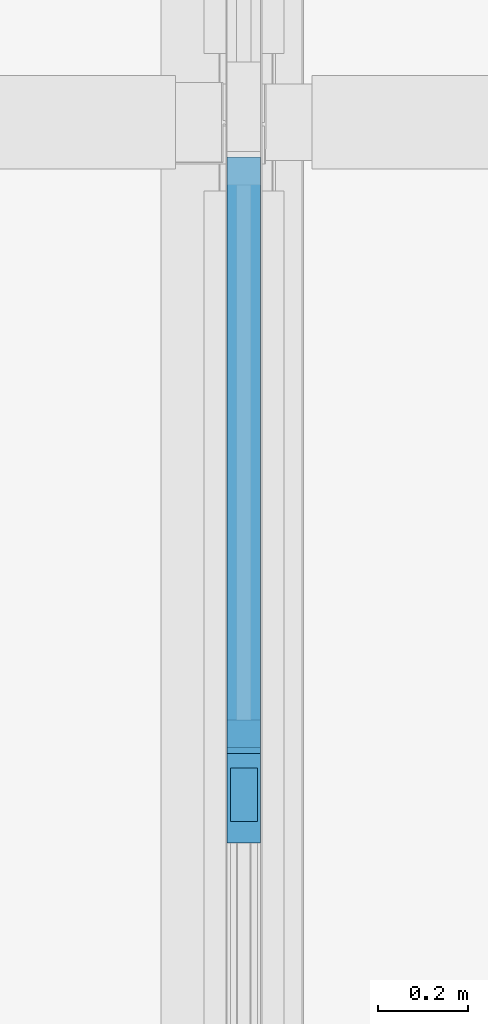
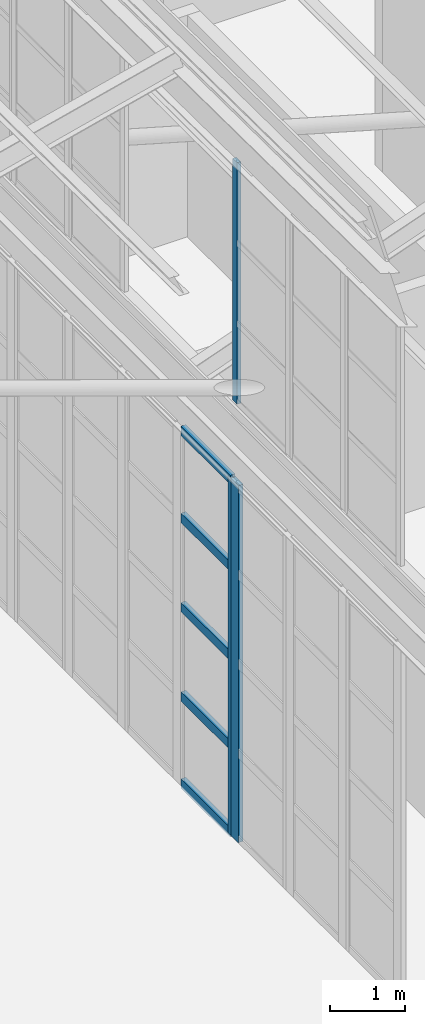
# One storey, part 33 of 483: 8 members, 3 elements without a shape of their own.
"""IFC4 building model written with IfcOpenShell, lengths in metres."""

import ifcopenshell
import ifcopenshell.guid

model = None  # the IFC model being written
_history = None  # IfcOwnerHistory: only IFC2X3 demands one
_inside = {}  # id of a spatial element -> (the spatial element, [elements in it])
_under = {}  # id of a project, library or spatial element -> (it, [spatial elements below it])
_declared = {}  # id of a project -> (the project, [libraries it declares])
_typed = {}  # id of a type object -> (the type object, [elements of that type])
_made_of = {}  # id of a material, layer set ... -> (it, [elements and type objects made of it])


def new_model(schema):
    """Start an empty IFC model of exactly this schema.

    Asked for "IFC4X3", IfcOpenShell would pick the latest addendum, in which some entities
    have other attributes; the version numbers below select the first issue.
    IFC2X3 requires an IfcOwnerHistory on every rooted entity: one is made here for all.
    """
    global model, _history
    if schema == "IFC4X3":
        model = ifcopenshell.file(schema_version=(4, 3, 0, 0))
    else:
        model = ifcopenshell.file(schema=schema)
    _inside.clear()
    _under.clear()
    _declared.clear()
    _typed.clear()
    _made_of.clear()
    _history = None
    if model.schema == "IFC2X3":
        org = make("IfcOrganization", Name="unknown")
        user = make(
            "IfcPersonAndOrganization",
            ThePerson=make("IfcPerson", FamilyName="unknown"),
            TheOrganization=org,
        )
        app = make(
            "IfcApplication",
            ApplicationDeveloper=org,
            Version="unknown",
            ApplicationFullName="unknown",
            ApplicationIdentifier="unknown",
        )
        _history = make(
            "IfcOwnerHistory",
            OwningUser=user,
            OwningApplication=app,
            ChangeAction="ADDED",
            CreationDate=0,
        )
    return model


def make(cls, **values):
    """One entity of the class cls with the attributes given. An attribute that is None is left unset."""
    return model.create_entity(
        cls, **{name: value for name, value in values.items() if value is not None}
    )


def rooted(cls, **values):
    """An entity with a GlobalId (a new one), such as an element, a storey or a relation."""
    return make(cls, GlobalId=ifcopenshell.guid.new(), OwnerHistory=_history, **values)


def si_unit(unit_type, name, prefix=None):
    """IfcSIUnit, for example si_unit("LENGTHUNIT", "METRE", prefix="MILLI")."""
    return make("IfcSIUnit", UnitType=unit_type, Prefix=prefix, Name=name)


def assignment(units):
    """IfcUnitAssignment: the units of a project."""
    return None if units is None else make("IfcUnitAssignment", Units=units)


def point(xyz):
    """IfcCartesianPoint."""
    return None if xyz is None else make("IfcCartesianPoint", Coordinates=xyz)


def direction(xyz):
    """IfcDirection."""
    return None if xyz is None else make("IfcDirection", DirectionRatios=xyz)


def frame(location, z_axis=None, x_axis=None):
    """IfcAxis2Placement3D, a coordinate frame: its origin and axes. An axis left out is left unset."""
    return make(
        "IfcAxis2Placement3D",
        Location=point(location),
        Axis=direction(z_axis),
        RefDirection=direction(x_axis),
    )


def frame_2d(location, x_axis=None):
    """IfcAxis2Placement2D, a coordinate frame in the plane: its origin and x axis."""
    return make(
        "IfcAxis2Placement2D", Location=point(location), RefDirection=direction(x_axis)
    )


def origin():
    """The frame at (0, 0, 0) with its axes left unset."""
    return frame((0.0, 0.0, 0.0))


def origin_2d():
    """The frame at (0, 0) in the plane with its x axis left unset."""
    return frame_2d((0.0, 0.0))


def place(relative_to, where):
    """IfcLocalPlacement: puts the frame where relative to a parent placement (None: the world)."""
    return make(
        "IfcLocalPlacement", PlacementRelTo=relative_to, RelativePlacement=where
    )


def context(
    kind, dimensions, precision=None, world=None, true_north=None, identifier=None
):
    """IfcGeometricRepresentationContext, for example the 3D "Model" context."""
    return make(
        "IfcGeometricRepresentationContext",
        ContextIdentifier=identifier,
        ContextType=kind,
        CoordinateSpaceDimension=dimensions,
        Precision=precision,
        WorldCoordinateSystem=world,
        TrueNorth=true_north,
    )


def subcontext(parent, identifier, kind, view, scale=None):
    """IfcGeometricRepresentationSubContext, for example "Body" below "Model"."""
    return make(
        "IfcGeometricRepresentationSubContext",
        ContextIdentifier=identifier,
        ContextType=kind,
        ParentContext=parent,
        TargetScale=scale,
        TargetView=view,
    )


def project(units=None, contexts=None):
    """IfcProject with its units and contexts."""
    return rooted(
        "IfcProject",
        Name="project",
        RepresentationContexts=contexts,
        UnitsInContext=assignment(units),
    )


def spatial(cls, under=None, at=None, **own):
    """A site, building, storey or space (cls), placed at a placement, below another one or the project."""
    s = rooted(cls, ObjectPlacement=at, **own)
    if under is not None:
        _under.setdefault(under.id(), (under, []))[1].append(s)
    return s


def profile(cls, at=None, kind="AREA", **sizes):
    """A parametric profile (cls). Its sizes go by their IFC names, for example OverallWidth=200.0."""
    return make(cls, ProfileType=kind, Position=at, **sizes)


def rectangle(**sizes):
    """IfcRectangleProfileDef."""
    return profile("IfcRectangleProfileDef", **sizes)


def extrude(swept, where, along, depth):
    """IfcExtrudedAreaSolid: the profile swept, set in the frame where, extruded along a direction by depth."""
    return make(
        "IfcExtrudedAreaSolid",
        SweptArea=swept,
        Position=where,
        ExtrudedDirection=direction(along),
        Depth=depth,
    )


def shape(context_of_items, identifier, shape_type, items):
    """IfcShapeRepresentation: the items that make up one representation, for example the "Body"."""
    return make(
        "IfcShapeRepresentation",
        ContextOfItems=context_of_items,
        RepresentationIdentifier=identifier,
        RepresentationType=shape_type,
        Items=items,
    )


def material(Name=None, Category=None):
    """IfcMaterial."""
    return make("IfcMaterial", Name=Name, Category=Category)


def material_profile(
    of_material, cross_section, Name=None, Category=None, Priority=None
):
    """IfcMaterialProfile: a cross section and its material."""
    return make(
        "IfcMaterialProfile",
        Name=Name,
        Material=of_material,
        Profile=cross_section,
        Priority=Priority,
        Category=Category,
    )


def profile_set(profiles, Name=None, composite=None):
    """IfcMaterialProfileSet."""
    return make(
        "IfcMaterialProfileSet",
        Name=Name,
        MaterialProfiles=profiles,
        CompositeProfile=composite,
    )


def made_of(thing, what):
    """Note that an element or type object is made of a material, layer set ...; save() writes the relation."""
    if what is not None:
        _made_of.setdefault(what.id(), (what, []))[1].append(thing)
    return thing


def type_object(cls, material=None, **own):
    """A type object (cls), such as IfcWallType, which elements share."""
    return made_of(rooted(cls, **own), material)


def element(
    cls,
    number,
    at=None,
    inside=None,
    cuts=None,
    type_object=None,
    material=None,
    context=None,
    identifier="Body",
    shape_type=None,
    held_by="IfcProductDefinitionShape",
    body=None,
    shapes=None,
    **own,
):
    """One element of the class cls, such as IfcWall. Its Tag is "e" and its number.

    at: its placement. inside: the storey or other place that contains it. cuts: it is an
    opening in that element (IfcRelVoidsElement). A single representation is given by context,
    identifier, shape_type and body (its items); several are given by shapes. held_by: the class
    of the entity that holds the representations. save() writes the other relations.
    """
    e = rooted(cls, Tag="e%d" % number, ObjectPlacement=at, **own)
    if body is not None:
        shapes = [shape(context, identifier, shape_type, body)]
    if shapes is not None:
        e.Representation = make(held_by, Representations=shapes)
    if inside is not None:
        _inside.setdefault(inside.id(), (inside, []))[1].append(e)
    if cuts is not None:
        rooted(
            "IfcRelVoidsElement", RelatingBuildingElement=cuts, RelatedOpeningElement=e
        )
    if type_object is not None:
        _typed.setdefault(type_object.id(), (type_object, []))[1].append(e)
    return made_of(e, material)


def aggregate(whole, parts):
    """IfcRelAggregates: a whole, such as a stair, and the parts it consists of."""
    return rooted("IfcRelAggregates", RelatingObject=whole, RelatedObjects=parts)


def save(model, path):
    """Write the relations noted so far, then the file.

    IfcRelAggregates (storeys below a building ...), IfcRelContainedInSpatialStructure (elements
    in a storey), IfcRelDefinesByType, IfcRelAssociatesMaterial and IfcRelDeclares: one each for
    every whole, place, type object, material and project.
    """
    for whole, parts in _under.values():
        aggregate(whole, parts)
    for where, things in _inside.values():
        rooted(
            "IfcRelContainedInSpatialStructure",
            RelatedElements=things,
            RelatingStructure=where,
        )
    for kind, things in _typed.values():
        rooted("IfcRelDefinesByType", RelatedObjects=things, RelatingType=kind)
    for what, things in _made_of.values():
        rooted("IfcRelAssociatesMaterial", RelatedObjects=things, RelatingMaterial=what)
    for by, libraries in _declared.values():
        rooted("IfcRelDeclares", RelatingContext=by, RelatedDefinitions=libraries)
    model.write(path)


model = new_model("IFC4")

# Units and contexts
model_context = context("Model", 3, precision=1e-05, world=origin(), true_north=direction((0.0, 1.0)))
body_context = subcontext(model_context, "Body", "Model", "MODEL_VIEW")
ifc_project = project(units=[si_unit("LENGTHUNIT", "METRE"), si_unit("AREAUNIT", "SQUARE_METRE"), si_unit("VOLUMEUNIT", "CUBIC_METRE"), si_unit("PLANEANGLEUNIT", "RADIAN"), si_unit("MASSUNIT", "GRAM", prefix="KILO")], contexts=[model_context])

# Site, building, storey
site_placement = place(None, origin())
site = spatial("IfcSite", under=ifc_project, at=site_placement, CompositionType="ELEMENT")
building_placement = place(site_placement, origin())
building = spatial("IfcBuilding", under=site, at=building_placement, Name="Parallax Yard Mobility Hub", CompositionType="ELEMENT")
storey_placement = place(building_placement, frame((0.0, 0.0, 13.199951171875)))
storey = spatial("IfcBuildingStorey", under=building, at=storey_placement, Name="L04", CompositionType="ELEMENT", Elevation=13.199951171875)

# Curtain wall, member
ifc_material_1 = material(Name="Thermally broken aluminium curtain wall system", Category="aluminium")
curtain_wall_type_1 = type_object("IfcCurtainWallType", Name="Clerestory glazing run 60 x 120 frame", PredefinedType="NOTDEFINED", material=ifc_material_1)
curtain_wall_1_placement = place(storey_placement, origin())
curtain_wall_1 = element("IfcCurtainWall", 1, at=curtain_wall_1_placement, inside=storey, type_object=curtain_wall_type_1, Name="Clerestory glazing run Rooftop sports deck roof step 1 bay 3 level L04", PredefinedType="NOTDEFINED")
ifc_material_2 = material(Name="Extruded aluminium", Category="aluminium")
ifc_material_profile_1 = material_profile(ifc_material_2, rectangle(XDim=0.06005859375, YDim=0.1201171875, at=origin_2d()), Name="Mullion 60 x 120")
ifc_profile_set_1 = profile_set([ifc_material_profile_1], Name="Extruded aluminium")
member_type_1 = type_object("IfcMemberType", Name="Mullion 60 x 120", PredefinedType="MULLION", material=ifc_profile_set_1)
member_1_placement = place(storey_placement, frame((127.5, 28.49853515625, 7.087890625), z_axis=(0.0, 0.0, 1.0), x_axis=(-1.0, 0.0, 0.0)))
member_1 = element("IfcMember", 2, at=member_1_placement, type_object=member_type_1, Name="CW4 mullion 2", PredefinedType="MULLION", context=body_context, shape_type="SweptSolid", body=[
    extrude(rectangle(XDim=0.06005859375, YDim=0.1201171875, at=origin_2d()), origin(), (0.0, 0.0, 1.0), 3.921142578125),
])
aggregate(curtain_wall_1, [member_1])

curtain_wall_type_2 = type_object("IfcCurtainWallType", Name="Tall curtain wall run 75 x 200 frame", PredefinedType="NOTDEFINED", material=ifc_material_1)
curtain_wall_2_placement = place(storey_placement, origin())
curtain_wall_2 = element("IfcCurtainWall", 3, at=curtain_wall_2_placement, inside=storey, type_object=curtain_wall_type_2, Name="Curtain wall run Rooftop sports deck west bay 2 level L04", PredefinedType="NOTDEFINED")
ifc_material_profile_2 = material_profile(ifc_material_2, rectangle(XDim=0.074951171875, YDim=0.199951171875, at=origin_2d()), Name="Mullion 75 x 200")
ifc_profile_set_2 = profile_set([ifc_material_profile_2], Name="Extruded aluminium")
member_type_2 = type_object("IfcMemberType", Name="Mullion 75 x 200", PredefinedType="MULLION", material=ifc_profile_set_2)
member_2_placement = place(storey_placement, frame((127.5, 28.490966796875, 0.0), z_axis=(0.0, 0.0, 1.0), x_axis=(-1.0, 0.0, 0.0)))
member_2 = element("IfcMember", 4, at=member_2_placement, type_object=member_type_2, Name="CW3 mullion 2", PredefinedType="MULLION", context=body_context, shape_type="SweptSolid", body=[
    extrude(rectangle(XDim=0.074951171875, YDim=0.199951171875, at=origin_2d()), origin(), (0.0, 0.0, 1.0), 5.800048828125),
])
aggregate(curtain_wall_2, [member_2])

# Curtain wall, members
curtain_wall_3_placement = place(storey_placement, origin())
curtain_wall_3 = element("IfcCurtainWall", 5, at=curtain_wall_3_placement, inside=storey, type_object=curtain_wall_type_2, Name="Curtain wall run Rooftop sports deck west bay 2 level L04", PredefinedType="NOTDEFINED")
member_3_placement = place(storey_placement, frame((127.5, 28.56591796875, 0.0), z_axis=(0.0, 0.0, 1.0), x_axis=(-1.0, 0.0, 0.0)))
member_3 = element("IfcMember", 6, at=member_3_placement, type_object=member_type_2, Name="CW3 mullion 1", PredefinedType="MULLION", context=body_context, shape_type="SweptSolid", body=[
    extrude(rectangle(XDim=0.074951171875, YDim=0.199951171875, at=origin_2d()), origin(), (0.0, 0.0, 1.0), 5.800048828125),
])
ifc_material_profile_3 = material_profile(ifc_material_2, rectangle(XDim=0.074951171875, YDim=0.14990234375, at=origin_2d()), Name="Transom 75 x 150")
ifc_profile_set_3 = profile_set([ifc_material_profile_3], Name="Extruded aluminium")
member_type_3 = type_object("IfcMemberType", Name="Transom 75 x 150", PredefinedType="USERDEFINED", material=ifc_profile_set_3)
member_4_placement = place(storey_placement, frame((127.5, 28.603515625, 0.03759765625), z_axis=(0.0, 1.0, 0.0), x_axis=(-1.0, 0.0, 0.0)))
member_4 = element("IfcMember", 7, at=member_4_placement, type_object=member_type_3, Name="CW3 transom 1.1", ObjectType="TRANSOM", PredefinedType="USERDEFINED", context=body_context, shape_type="SweptSolid", body=[
    extrude(rectangle(XDim=0.074951171875, YDim=0.14990234375, at=origin_2d()), origin(), (0.0, 0.0, 1.0), 1.31884765625),
])
member_5_placement = place(storey_placement, frame((127.5, 28.603515625, 1.449951171875), z_axis=(0.0, 1.0, 0.0), x_axis=(-1.0, 0.0, 0.0)))
member_5 = element("IfcMember", 8, at=member_5_placement, type_object=member_type_3, Name="CW3 transom 1.2", ObjectType="TRANSOM", PredefinedType="USERDEFINED", context=body_context, shape_type="SweptSolid", body=[
    extrude(rectangle(XDim=0.074951171875, YDim=0.14990234375, at=origin_2d()), origin(), (0.0, 0.0, 1.0), 1.31884765625),
])
member_6_placement = place(storey_placement, frame((127.5, 28.603515625, 2.900146484375), z_axis=(0.0, 1.0, 0.0), x_axis=(-1.0, 0.0, 0.0)))
member_6 = element("IfcMember", 9, at=member_6_placement, type_object=member_type_3, Name="CW3 transom 1.3", ObjectType="TRANSOM", PredefinedType="USERDEFINED", context=body_context, shape_type="SweptSolid", body=[
    extrude(rectangle(XDim=0.074951171875, YDim=0.14990234375, at=origin_2d()), origin(), (0.0, 0.0, 1.0), 1.31884765625),
])
member_7_placement = place(storey_placement, frame((127.5, 28.603515625, 4.35009765625), z_axis=(0.0, 1.0, 0.0), x_axis=(-1.0, 0.0, 0.0)))
member_7 = element("IfcMember", 10, at=member_7_placement, type_object=member_type_3, Name="CW3 transom 1.4", ObjectType="TRANSOM", PredefinedType="USERDEFINED", context=body_context, shape_type="SweptSolid", body=[
    extrude(rectangle(XDim=0.074951171875, YDim=0.14990234375, at=origin_2d()), origin(), (0.0, 0.0, 1.0), 1.31884765625),
])
member_8_placement = place(storey_placement, frame((127.5, 28.603515625, 5.762451171875), z_axis=(0.0, 1.0, 0.0), x_axis=(-1.0, 0.0, 0.0)))
member_8 = element("IfcMember", 11, at=member_8_placement, type_object=member_type_3, Name="CW3 transom 1.5", ObjectType="TRANSOM", PredefinedType="USERDEFINED", context=body_context, shape_type="SweptSolid", body=[
    extrude(rectangle(XDim=0.074951171875, YDim=0.14990234375, at=origin_2d()), origin(), (0.0, 0.0, 1.0), 1.31884765625),
])
aggregate(curtain_wall_3, [member_3, member_4, member_5, member_6, member_7, member_8])

save(model, "model.ifc")
